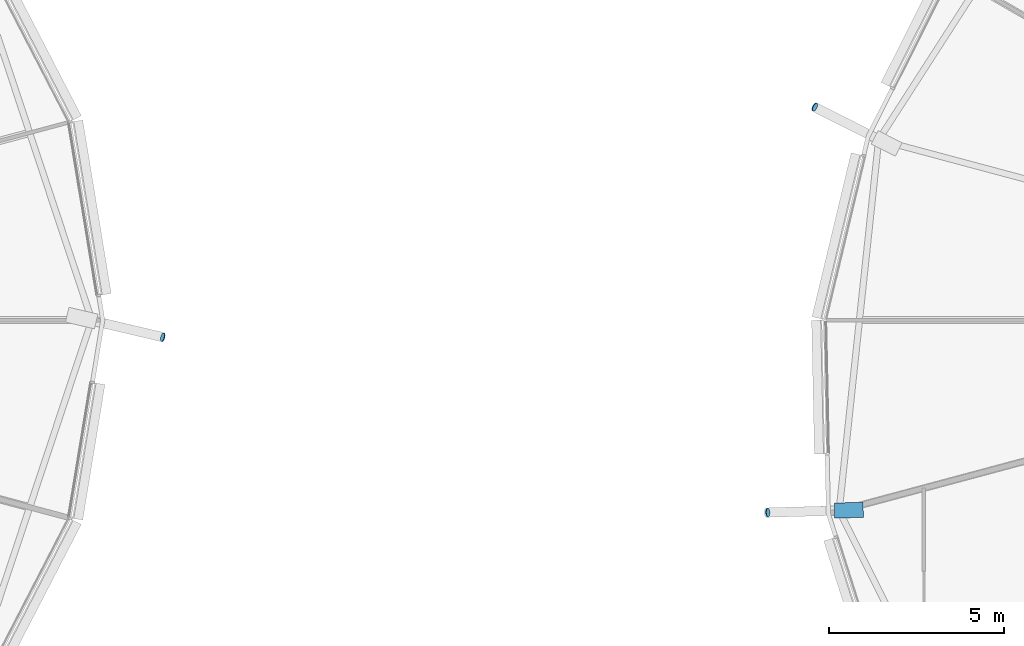
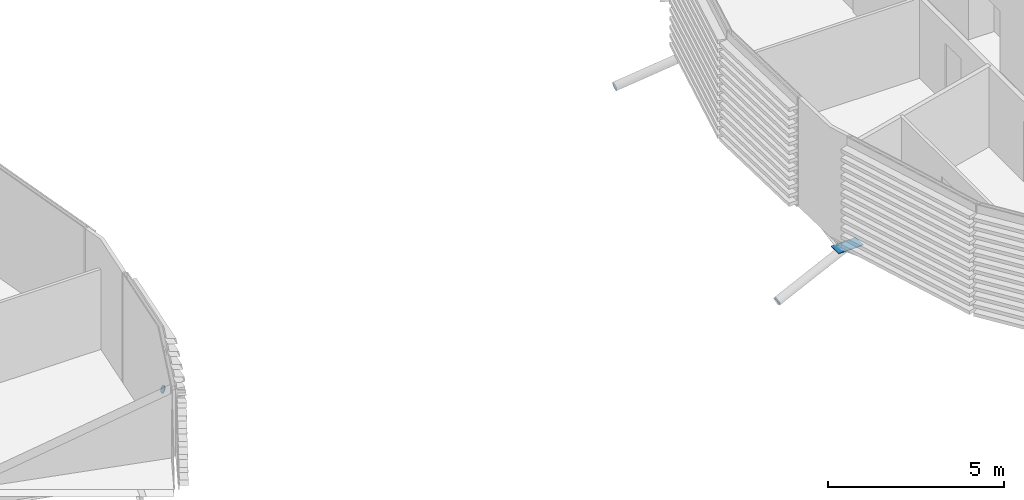
# One storey, part 27 of 36: 4 discrete accessories.
"""IFC4 building model written with IfcOpenShell, lengths in metres."""

from ifc_helpers import new_model, si_unit, direction, frame, origin, origin_2d, place, context, subcontext, project, spatial, polyline, rectangle, circle, outline, extrude, material, material_profile, profile_set, type_object, element, save


model = new_model("IFC4")

# Units and contexts
model_context = context("Model", 3, precision=1e-05, world=origin(), true_north=direction((0.0, 1.0)))
body_context = subcontext(model_context, "Body", "Model", "MODEL_VIEW")
ifc_project = project(units=[si_unit("LENGTHUNIT", "METRE"), si_unit("AREAUNIT", "SQUARE_METRE"), si_unit("VOLUMEUNIT", "CUBIC_METRE"), si_unit("PLANEANGLEUNIT", "RADIAN"), si_unit("MASSUNIT", "GRAM", prefix="KILO")], contexts=[model_context])

# Site, building, storey
site_placement = place(None, origin())
site = spatial("IfcSite", under=ifc_project, at=site_placement, CompositionType="ELEMENT")
building_placement = place(site_placement, origin())
building = spatial("IfcBuilding", under=site, at=building_placement, Name="Rimbun Link Towers", CompositionType="ELEMENT")
storey_placement = place(building_placement, frame((0.0, 0.0, 33.800048828125)))
storey = spatial("IfcBuildingStorey", under=building, at=storey_placement, Name="L07", CompositionType="ELEMENT", Elevation=33.800048828125)

# Discrete accessories
ifc_material_1 = material(Name="Steel S355J2H", Category="steel")
ifc_material_profile_1 = material_profile(ifc_material_1, circle(Radius=0.1240234375, at=origin_2d()), Name="PL D248")
ifc_profile_set_1 = profile_set([ifc_material_profile_1], Name="Steel S355J2H")
discrete_accessory_type_1 = type_object("IfcDiscreteAccessoryType", Name="Link foot sealing plate D248X20", PredefinedType="BRACKET", material=ifc_profile_set_1)
discrete_accessory_1_placement = place(storey_placement, frame((-7.96728515625, -0.48828125, -1.73486328125), z_axis=(0.893839761103, -0.20534156674, -0.398604217789), x_axis=(0.223897510936, 0.974612694662, 0.0)))
element("IfcDiscreteAccessory", 1, at=discrete_accessory_1_placement, inside=storey, type_object=discrete_accessory_type_1, Name="Link foot sealing plate T1 L07 00", PredefinedType="BRACKET", context=body_context, shape_type="SweptSolid", body=[
    extrude(circle(Radius=0.1240234375, at=origin_2d()), origin(), (0.0, 0.0, 1.0), 0.020263671875),
])
for number, where, z_axis, x_axis, name in (
    (2, (10.691650390625, 6.08447265625, -1.735107421875), (-0.795110751586, 0.403671612343, -0.452601504749), (-0.452692359777, -0.891666769258, 0.0), "Link foot sealing plate T2 L07 08"),
    (3, (9.34814453125, -5.50439453125, -1.680419921875), (-0.910513391019, -0.024280357094, -0.412766070595), (0.026657190239, -0.999644633962, 0.0), "Link foot sealing plate T2 L07 10"),
):
    element("IfcDiscreteAccessory", number, at=place(storey_placement, frame(where, z_axis=z_axis, x_axis=x_axis)), inside=storey, type_object=discrete_accessory_type_1, Name=name, PredefinedType="BRACKET", context=body_context, shape_type="SweptSolid", body=[
        extrude(circle(Radius=0.1240234375, at=origin_2d()), origin(), (0.0, 0.0, 1.0), 0.02001953125),
    ])
ifc_material_2 = material(Name="Steel S355J2H", Category="steel")
ifc_material_profile_2 = material_profile(ifc_material_2, rectangle(XDim=0.43310546875, YDim=0.43310546875, at=origin_2d()), Name="PL 433x433")
ifc_profile_set_2 = profile_set([ifc_material_profile_2], Name="Steel S355J2H")
discrete_accessory_type_2 = type_object("IfcDiscreteAccessoryType", Name="Link head end plate 433X20", PredefinedType="BRACKET", material=ifc_profile_set_2)
discrete_accessory_2_placement = place(storey_placement, frame((0.0, 0.0, -0.633544921875)))
element("IfcDiscreteAccessory", 4, at=discrete_accessory_2_placement, inside=storey, type_object=discrete_accessory_type_2, Name="Link head end plate T2 L07 10", PredefinedType="BRACKET", context=body_context, shape_type="SweptSolid", body=[
    extrude(outline(polyline([(12.06396484375, -5.2099609375), (11.242431640625, -5.2333984375), (11.2548828125, -5.66650390625), (12.076416015625, -5.642822265625), (12.06396484375, -5.2099609375)])), origin(), (0.0, 0.0, 1.0), 0.02001953125),
])

save(model, "model.ifc")
